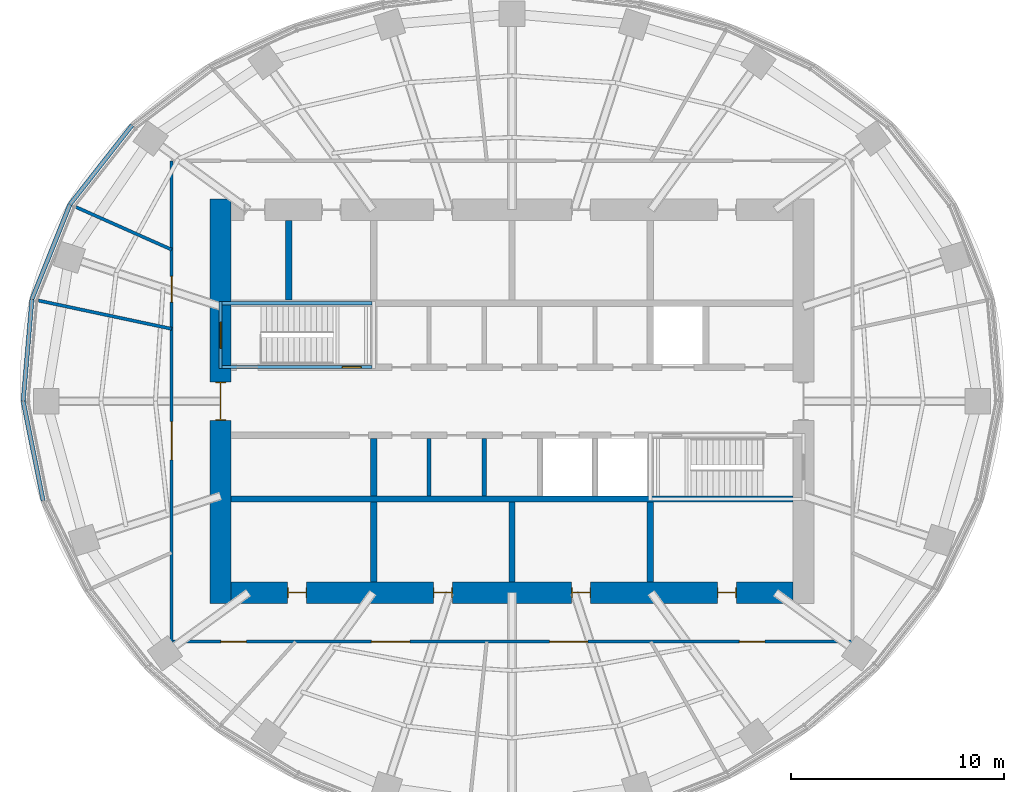
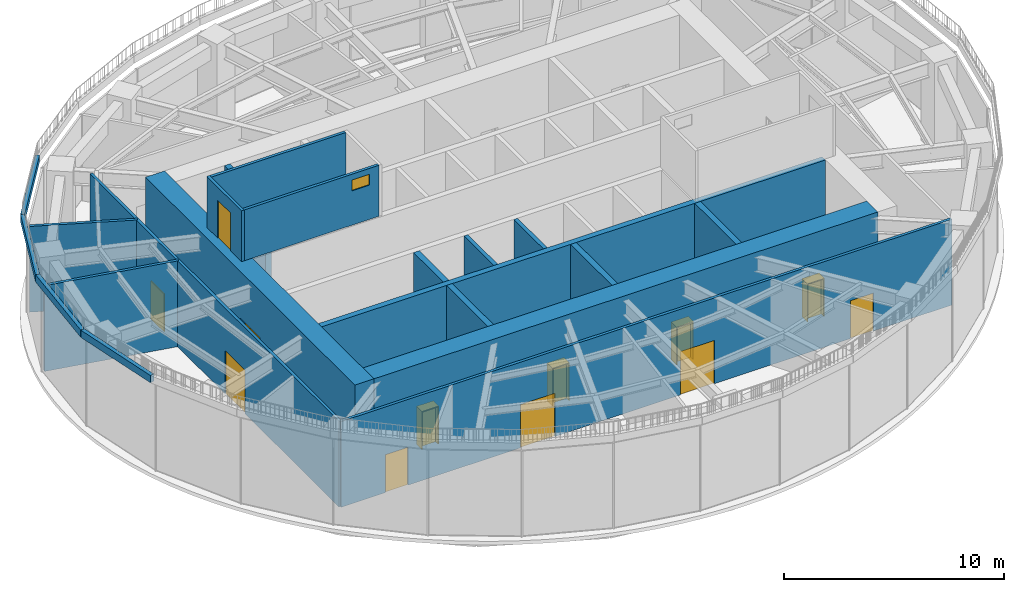
"""IFC4 building model written with IfcOpenShell, lengths in metres."""

from ifc_helpers import new_model, si_unit, direction, frame, frame_2d, origin, place, context, subcontext, project, spatial, rectangle, extrude, material, layer, layer_set, type_object, element, fill, save


model = new_model("IFC4")

# Units and contexts
model_context = context("Model", 3, precision=1e-05, world=origin(), true_north=direction((0.0, 1.0)))
body_context = subcontext(model_context, "Body", "Model", "MODEL_VIEW")
ifc_project = project(units=[si_unit("LENGTHUNIT", "METRE"), si_unit("AREAUNIT", "SQUARE_METRE"), si_unit("VOLUMEUNIT", "CUBIC_METRE"), si_unit("PLANEANGLEUNIT", "RADIAN"), si_unit("MASSUNIT", "GRAM", prefix="KILO")], contexts=[model_context])

# Site, building, storey
site_placement = place(None, origin())
site = spatial("IfcSite", under=ifc_project, at=site_placement, CompositionType="ELEMENT")
building_placement = place(site_placement, origin())
building = spatial("IfcBuilding", under=site, at=building_placement, Name="Marramba Exchange Tower", CompositionType="ELEMENT")
storey_1_placement = place(building_placement, frame((0.0, 0.0, 277.0)))
storey_1 = spatial("IfcBuildingStorey", under=building, at=storey_1_placement, Name="L67", CompositionType="ELEMENT", Elevation=277.0)

# Walls
ifc_material_1 = material(Name="Concrete N50", Category="concrete")
ifc_layer_1 = layer(ifc_material_1, 0.199951171875)
ifc_layer_set_1 = layer_set([ifc_layer_1], Name="Core shaft wall 200")
wall_type_1 = type_object("IfcWallType", Name="Core shaft wall 200", PredefinedType="SHEAR", material=ifc_layer_set_1)
for number, where, z_axis, x_axis, name in (
    (1, (-3.89990234375, -1.75, 0.0), (0.0, 0.0, 1.0), (0.0, -1.0, 0.0), "Core wall SHS1 L67"),
    (2, (-1.300048828125, -1.75, 0.0), (0.0, 0.0, 1.0), (0.0, -1.0, 0.0), "Core wall SHS2 L67"),
):
    element("IfcWall", number, at=place(storey_1_placement, frame(where, z_axis=z_axis, x_axis=x_axis)), inside=storey_1, type_object=wall_type_1, Name=name, PredefinedType="SHEAR", context=body_context, shape_type="SweptSolid", body=[
        extrude(rectangle(XDim=2.699951171875, YDim=0.199951171875, at=frame_2d((1.35009765625, 0.0))), origin(), (0.0, 0.0, 1.0), 5.0),
    ])

# Wall, openings, doors
ifc_layer_2 = layer(ifc_material_1, 1.0)
ifc_layer_set_2 = layer_set([ifc_layer_2], Name="Core wall 1000")
wall_type_2 = type_object("IfcWallType", Name="Core wall 1000", PredefinedType="SHEAR", material=ifc_layer_set_2)
wall_1_placement = place(storey_1_placement, frame((-13.199951171875, -9.0, 0.0), z_axis=(0.0, 0.0, 1.0), x_axis=(1.0, 0.0, 0.0)))
wall_1 = element("IfcWall", 3, at=wall_1_placement, inside=storey_1, type_object=wall_type_2, Name="Core wall S L67", PredefinedType="SHEAR", context=body_context, shape_type="SweptSolid", body=[
    extrude(rectangle(XDim=26.39990234375, YDim=1.0, at=frame_2d((13.199951171875, 0.0))), origin(), (0.0, 0.0, 1.0), 5.0),
])
opening_1_placement = place(wall_1_placement, frame((2.64990234375, 0.0, 0.0)))
opening_1 = element("IfcOpeningElement", 4, at=opening_1_placement, cuts=wall_1, Name="Opening D5", PredefinedType="OPENING", context=body_context, shape_type="SweptSolid", body=[
    extrude(rectangle(XDim=0.89990234375, YDim=2.10009765625, at=frame_2d((0.449951171875, 1.050048828125))), frame((0.0, 0.510009765625, 0.0), z_axis=(0.0, -1.0, 0.0), x_axis=(1.0, 0.0, 0.0)), (0.0, 0.0, 1.0), 1.02001953125),
])
opening_2_placement = place(wall_1_placement, frame((9.5, 0.0, 0.0)))
opening_2 = element("IfcOpeningElement", 5, at=opening_2_placement, cuts=wall_1, Name="Opening D5", PredefinedType="OPENING", context=body_context, shape_type="SweptSolid", body=[
    extrude(rectangle(XDim=0.89990234375, YDim=2.10009765625, at=frame_2d((0.449951171875, 1.050048828125))), frame((0.0, 0.510009765625, 0.0), z_axis=(0.0, -1.0, 0.0), x_axis=(1.0, 0.0, 0.0)), (0.0, 0.0, 1.0), 1.02001953125),
])
opening_3_placement = place(wall_1_placement, frame((16.0, 0.0, 0.0)))
opening_3 = element("IfcOpeningElement", 6, at=opening_3_placement, cuts=wall_1, Name="Opening D5", PredefinedType="OPENING", context=body_context, shape_type="SweptSolid", body=[
    extrude(rectangle(XDim=0.89990234375, YDim=2.10009765625, at=frame_2d((0.449951171875, 1.050048828125))), frame((0.0, 0.510009765625, 0.0), z_axis=(0.0, -1.0, 0.0), x_axis=(1.0, 0.0, 0.0)), (0.0, 0.0, 1.0), 1.02001953125),
])
opening_4_placement = place(wall_1_placement, frame((22.85009765625, 0.0, 0.0)))
opening_4 = element("IfcOpeningElement", 7, at=opening_4_placement, cuts=wall_1, Name="Opening D5", PredefinedType="OPENING", context=body_context, shape_type="SweptSolid", body=[
    extrude(rectangle(XDim=0.89990234375, YDim=2.10009765625, at=frame_2d((0.449951171875, 1.050048828125))), frame((0.0, 0.510009765625, 0.0), z_axis=(0.0, -1.0, 0.0), x_axis=(1.0, 0.0, 0.0)), (0.0, 0.0, 1.0), 1.02001953125),
])
ifc_material_2 = material(Name="Steel-framed door", Category="steel")
door_type_1 = type_object("IfcDoorType", Name="Service door 900x2100", OperationType="SINGLE_SWING_LEFT", PredefinedType="DOOR", material=ifc_material_2)
door_1_placement = place(opening_1_placement, origin())
door_1 = element("IfcDoor", 8, at=door_1_placement, inside=storey_1, type_object=door_type_1, Name="D5 ahu L67", OperationType="SINGLE_SWING_LEFT", OverallHeight=2.10009765625, OverallWidth=0.89990234375, PredefinedType="DOOR", context=body_context, shape_type="SweptSolid", body=[
    extrude(rectangle(XDim=0.81982421875, YDim=2.06005859375, at=frame_2d((0.449951171875, 1.030029296875))), frame((0.0, 0.02490234375, 0.0), z_axis=(0.0, -1.0, 0.0), x_axis=(1.0, 0.0, 0.0)), (0.0, 0.0, 1.0), 0.050048828125),
    extrude(rectangle(XDim=0.04, YDim=2.10009765625, at=frame_2d((0.02001953125, 1.050048828125))), frame((0.0, 0.25, 0.0), z_axis=(0.0, -1.0, 0.0), x_axis=(1.0, 0.0, 0.0)), (0.0, 0.0, 1.0), 0.5),
    extrude(rectangle(XDim=0.04, YDim=2.10009765625, at=frame_2d((0.8798828125, 1.050048828125))), frame((0.0, 0.25, 0.0), z_axis=(0.0, -1.0, 0.0), x_axis=(1.0, 0.0, 0.0)), (0.0, 0.0, 1.0), 0.5),
    extrude(rectangle(XDim=0.81982421875, YDim=0.04, at=frame_2d((0.449951171875, 2.080078125))), frame((0.0, 0.25, 0.0), z_axis=(0.0, -1.0, 0.0), x_axis=(1.0, 0.0, 0.0)), (0.0, 0.0, 1.0), 0.5),
])
fill(opening_1, door_1)
door_2_placement = place(opening_2_placement, origin())
door_2 = element("IfcDoor", 9, at=door_2_placement, inside=storey_1, type_object=door_type_1, Name="D5 store L67", OperationType="SINGLE_SWING_RIGHT", OverallHeight=2.10009765625, OverallWidth=0.89990234375, PredefinedType="DOOR", context=body_context, shape_type="SweptSolid", body=[
    extrude(rectangle(XDim=0.81982421875, YDim=2.06005859375, at=frame_2d((0.449951171875, 1.030029296875))), frame((0.0, 0.02490234375, 0.0), z_axis=(0.0, -1.0, 0.0), x_axis=(1.0, 0.0, 0.0)), (0.0, 0.0, 1.0), 0.050048828125),
    extrude(rectangle(XDim=0.04, YDim=2.10009765625, at=frame_2d((0.02001953125, 1.050048828125))), frame((0.0, 0.25, 0.0), z_axis=(0.0, -1.0, 0.0), x_axis=(1.0, 0.0, 0.0)), (0.0, 0.0, 1.0), 0.5),
    extrude(rectangle(XDim=0.04, YDim=2.10009765625, at=frame_2d((0.8798828125, 1.050048828125))), frame((0.0, 0.25, 0.0), z_axis=(0.0, -1.0, 0.0), x_axis=(1.0, 0.0, 0.0)), (0.0, 0.0, 1.0), 0.5),
    extrude(rectangle(XDim=0.81982421875, YDim=0.04, at=frame_2d((0.449951171875, 2.080078125))), frame((0.0, 0.25, 0.0), z_axis=(0.0, -1.0, 0.0), x_axis=(1.0, 0.0, 0.0)), (0.0, 0.0, 1.0), 0.5),
])
fill(opening_2, door_2)
door_3_placement = place(opening_3_placement, origin())
door_3 = element("IfcDoor", 10, at=door_3_placement, inside=storey_1, type_object=door_type_1, Name="D5 switch L67", OperationType="SINGLE_SWING_RIGHT", OverallHeight=2.10009765625, OverallWidth=0.89990234375, PredefinedType="DOOR", context=body_context, shape_type="SweptSolid", body=[
    extrude(rectangle(XDim=0.81982421875, YDim=2.06005859375, at=frame_2d((0.449951171875, 1.030029296875))), frame((0.0, 0.02490234375, 0.0), z_axis=(0.0, -1.0, 0.0), x_axis=(1.0, 0.0, 0.0)), (0.0, 0.0, 1.0), 0.050048828125),
    extrude(rectangle(XDim=0.04, YDim=2.10009765625, at=frame_2d((0.02001953125, 1.050048828125))), frame((0.0, 0.25, 0.0), z_axis=(0.0, -1.0, 0.0), x_axis=(1.0, 0.0, 0.0)), (0.0, 0.0, 1.0), 0.5),
    extrude(rectangle(XDim=0.04, YDim=2.10009765625, at=frame_2d((0.8798828125, 1.050048828125))), frame((0.0, 0.25, 0.0), z_axis=(0.0, -1.0, 0.0), x_axis=(1.0, 0.0, 0.0)), (0.0, 0.0, 1.0), 0.5),
    extrude(rectangle(XDim=0.81982421875, YDim=0.04, at=frame_2d((0.449951171875, 2.080078125))), frame((0.0, 0.25, 0.0), z_axis=(0.0, -1.0, 0.0), x_axis=(1.0, 0.0, 0.0)), (0.0, 0.0, 1.0), 0.5),
])
fill(opening_3, door_3)
door_4_placement = place(opening_4_placement, origin())
door_4 = element("IfcDoor", 11, at=door_4_placement, inside=storey_1, type_object=door_type_1, Name="D5 cstore L67", OperationType="SINGLE_SWING_RIGHT", OverallHeight=2.10009765625, OverallWidth=0.89990234375, PredefinedType="DOOR", context=body_context, shape_type="SweptSolid", body=[
    extrude(rectangle(XDim=0.81982421875, YDim=2.06005859375, at=frame_2d((0.449951171875, 1.030029296875))), frame((0.0, 0.02490234375, 0.0), z_axis=(0.0, -1.0, 0.0), x_axis=(1.0, 0.0, 0.0)), (0.0, 0.0, 1.0), 0.050048828125),
    extrude(rectangle(XDim=0.04, YDim=2.10009765625, at=frame_2d((0.02001953125, 1.050048828125))), frame((0.0, 0.25, 0.0), z_axis=(0.0, -1.0, 0.0), x_axis=(1.0, 0.0, 0.0)), (0.0, 0.0, 1.0), 0.5),
    extrude(rectangle(XDim=0.04, YDim=2.10009765625, at=frame_2d((0.8798828125, 1.050048828125))), frame((0.0, 0.25, 0.0), z_axis=(0.0, -1.0, 0.0), x_axis=(1.0, 0.0, 0.0)), (0.0, 0.0, 1.0), 0.5),
    extrude(rectangle(XDim=0.81982421875, YDim=0.04, at=frame_2d((0.449951171875, 2.080078125))), frame((0.0, 0.25, 0.0), z_axis=(0.0, -1.0, 0.0), x_axis=(1.0, 0.0, 0.0)), (0.0, 0.0, 1.0), 0.5),
])
fill(opening_4, door_4)

# Wall, opening, door
wall_2_placement = place(storey_1_placement, frame((-13.699951171875, 9.5, 0.0), z_axis=(0.0, 0.0, 1.0), x_axis=(0.0, -1.0, 0.0)))
wall_2 = element("IfcWall", 12, at=wall_2_placement, inside=storey_1, type_object=wall_type_2, Name="Core wall W L67", PredefinedType="SHEAR", context=body_context, shape_type="SweptSolid", body=[
    extrude(rectangle(XDim=19.0, YDim=1.0, at=frame_2d((9.5, 0.0))), origin(), (0.0, 0.0, 1.0), 5.0),
])
opening_5_placement = place(wall_2_placement, frame((8.60009765625, 0.0, 0.0)))
opening_5 = element("IfcOpeningElement", 13, at=opening_5_placement, cuts=wall_2, Name="Opening D1", PredefinedType="OPENING", context=body_context, shape_type="SweptSolid", body=[
    extrude(rectangle(XDim=1.800048828125, YDim=2.39990234375, at=frame_2d((0.89990234375, 1.199951171875))), frame((0.0, 0.510009765625, 0.0), z_axis=(0.0, -1.0, 0.0), x_axis=(1.0, 0.0, 0.0)), (0.0, 0.0, 1.0), 1.02001953125),
])
door_type_2 = type_object("IfcDoorType", Name="Lobby exit door 1800x2400", OperationType="DOUBLE_DOOR_SINGLE_SWING", PredefinedType="DOOR", material=ifc_material_2)
door_5_placement = place(opening_5_placement, origin())
door_5 = element("IfcDoor", 14, at=door_5_placement, inside=storey_1, type_object=door_type_2, Name="D1 lobby exit west L67", OperationType="DOUBLE_DOOR_SINGLE_SWING", OverallHeight=2.39990234375, OverallWidth=1.800048828125, PredefinedType="DOOR", context=body_context, shape_type="SweptSolid", body=[
    extrude(rectangle(XDim=1.719970703125, YDim=2.35986328125, at=frame_2d((0.89990234375, 1.179931640625))), frame((0.0, 0.02490234375, 0.0), z_axis=(0.0, -1.0, 0.0), x_axis=(1.0, 0.0, 0.0)), (0.0, 0.0, 1.0), 0.050048828125),
    extrude(rectangle(XDim=0.04, YDim=2.39990234375, at=frame_2d((0.02001953125, 1.199951171875))), frame((0.0, 0.25, 0.0), z_axis=(0.0, -1.0, 0.0), x_axis=(1.0, 0.0, 0.0)), (0.0, 0.0, 1.0), 0.5),
    extrude(rectangle(XDim=0.04, YDim=2.39990234375, at=frame_2d((1.780029296875, 1.199951171875))), frame((0.0, 0.25, 0.0), z_axis=(0.0, -1.0, 0.0), x_axis=(1.0, 0.0, 0.0)), (0.0, 0.0, 1.0), 0.5),
    extrude(rectangle(XDim=1.719970703125, YDim=0.04, at=frame_2d((0.89990234375, 2.3798828125))), frame((0.0, 0.25, 0.0), z_axis=(0.0, -1.0, 0.0), x_axis=(1.0, 0.0, 0.0)), (0.0, 0.0, 1.0), 0.5),
])
fill(opening_5, door_5)

# Walls
ifc_layer_3 = layer(ifc_material_1, 0.300048828125)
ifc_layer_set_3 = layer_set([ifc_layer_3], Name="Core wall 300")
wall_type_3 = type_object("IfcWallType", Name="Core wall 300", PredefinedType="SHEAR", material=ifc_layer_set_3)
wall_3_placement = place(storey_1_placement, frame((-13.199951171875, -4.60009765625, 0.0), z_axis=(0.0, 0.0, 1.0), x_axis=(1.0, 0.0, 0.0)))
element("IfcWall", 15, at=wall_3_placement, inside=storey_1, type_object=wall_type_3, Name="Core wall BS L67", PredefinedType="SHEAR", context=body_context, shape_type="SweptSolid", body=[
    extrude(rectangle(XDim=26.39990234375, YDim=0.300048828125, at=frame_2d((13.199951171875, 0.0))), origin(), (0.0, 0.0, 1.0), 5.0),
])
wall_4_placement = place(storey_1_placement, frame((-6.5, -1.75, 0.0), z_axis=(0.0, 0.0, 1.0), x_axis=(0.0, -1.0, 0.0)))
element("IfcWall", 16, at=wall_4_placement, inside=storey_1, type_object=wall_type_3, Name="Core wall X0Sa L67", PredefinedType="SHEAR", context=body_context, shape_type="SweptSolid", body=[
    extrude(rectangle(XDim=2.699951171875, YDim=0.300048828125, at=frame_2d((1.35009765625, 0.0))), origin(), (0.0, 0.0, 1.0), 5.0),
])
for number, where, z_axis, x_axis, name in (
    (17, (-6.5, -4.75, 0.0), (0.0, 0.0, 1.0), (0.0, -1.0, 0.0), "Core wall X0Sb L67"),
    (18, (6.5, -4.75, 0.0), (0.0, 0.0, 1.0), (0.0, -1.0, 0.0), "Core wall X1Sb L67"),
    (19, (0.0, -4.75, 0.0), (0.0, 0.0, 1.0), (0.0, -1.0, 0.0), "Core wall MS L67"),
    (20, (-10.5, 4.75, 0.0), (0.0, 0.0, 1.0), (0.0, 1.0, 0.0), "Core wall WD L67"),
):
    element("IfcWall", number, at=place(storey_1_placement, frame(where, z_axis=z_axis, x_axis=x_axis)), inside=storey_1, type_object=wall_type_3, Name=name, PredefinedType="SHEAR", context=body_context, shape_type="SweptSolid", body=[
        extrude(rectangle(XDim=3.75, YDim=0.300048828125, at=frame_2d((1.875, 0.0))), origin(), (0.0, 0.0, 1.0), 5.0),
    ])
ifc_material_3 = material(Name="Concrete N40", Category="concrete")
ifc_layer_4 = layer(ifc_material_3, 0.199951171875)
ifc_layer_set_4 = layer_set([ifc_layer_4], Name="Roof upstand 200x400")
wall_type_4 = type_object("IfcWallType", Name="Roof upstand 200x400", PredefinedType="PARAPET", material=ifc_layer_set_4)
wall_5_placement = place(storey_1_placement, frame((-17.859375, 12.9755859375, 5.0), z_axis=(0.0, 0.0, 1.0), x_axis=(-0.617103610012, -0.78688190633, 0.0)))
element("IfcWall", 21, at=wall_5_placement, inside=storey_1, type_object=wall_type_4, Name="Roof upstand Roof crown F13", PredefinedType="PARAPET", context=body_context, shape_type="SweptSolid", body=[
    extrude(rectangle(XDim=4.732421875, YDim=0.199951171875, at=frame_2d((2.3662109375, 0.0))), origin(), (0.0, 0.0, 1.0), 0.39990234375),
])
wall_6_placement = place(storey_1_placement, frame((-20.77978515625, 9.251708984375, 5.0), z_axis=(0.0, 0.0, 1.0), x_axis=(-0.372363873994, -0.928086819939, 0.0)))
element("IfcWall", 22, at=wall_6_placement, inside=storey_1, type_object=wall_type_4, Name="Roof upstand Roof crown F14", PredefinedType="PARAPET", context=body_context, shape_type="SweptSolid", body=[
    extrude(rectangle(XDim=4.800048828125, YDim=0.199951171875, at=frame_2d((2.39990234375, 0.0))), origin(), (0.0, 0.0, 1.0), 0.39990234375),
])
wall_7_placement = place(storey_1_placement, frame((-22.567138671875, 4.796875, 5.0), z_axis=(0.0, 0.0, 1.0), x_axis=(-0.085747752545, -0.996316878776, 0.0)))
element("IfcWall", 23, at=wall_7_placement, inside=storey_1, type_object=wall_type_4, Name="Roof upstand Roof crown F15", PredefinedType="PARAPET", context=body_context, shape_type="SweptSolid", body=[
    extrude(rectangle(XDim=4.814697265625, YDim=0.199951171875, at=frame_2d((2.4072265625, 0.0))), origin(), (0.0, 0.0, 1.0), 0.39990234375),
])
wall_8_placement = place(storey_1_placement, frame((-22.97998046875, 0.0, 5.0), z_axis=(0.0, 0.0, 1.0), x_axis=(0.196715481336, -0.980460615937, 0.0)))
element("IfcWall", 24, at=wall_8_placement, inside=storey_1, type_object=wall_type_4, Name="Roof upstand Roof crown F16", PredefinedType="PARAPET", context=body_context, shape_type="SweptSolid", body=[
    extrude(rectangle(XDim=4.778076171875, YDim=0.199951171875, at=frame_2d((2.38916015625, 0.0))), origin(), (0.0, 0.0, 1.0), 0.39990234375),
])

# Wall, opening, door
ifc_material_4 = material(Name="Precast concrete N40 panel", Category="concrete")
ifc_layer_5 = layer(ifc_material_4, 0.14990234375)
ifc_layer_set_5 = layer_set([ifc_layer_5], Name="Stair head-house wall 150")
wall_type_5 = type_object("IfcWallType", Name="Stair head-house wall 150", PredefinedType="SOLIDWALL", material=ifc_layer_set_5)
wall_9_placement = place(storey_1_placement, frame((-13.699951171875, 1.52490234375, 5.0), z_axis=(0.0, 0.0, 1.0), x_axis=(0.0, 1.0, 0.0)))
wall_9 = element("IfcWall", 25, at=wall_9_placement, inside=storey_1, type_object=wall_type_5, Name="Stair head-house wall ST1 W", PredefinedType="SOLIDWALL", context=body_context, shape_type="SweptSolid", body=[
    extrude(rectangle(XDim=3.150146484375, YDim=0.14990234375, at=frame_2d((1.5751953125, 0.0))), origin(), (0.0, 0.0, 1.0), 2.820068359375),
])
opening_6_placement = place(wall_9_placement, frame((0.97509765625, 0.0, 0.0)))
opening_6 = element("IfcOpeningElement", 26, at=opening_6_placement, cuts=wall_9, Name="Opening D12", PredefinedType="OPENING", context=body_context, shape_type="SweptSolid", body=[
    extrude(rectangle(XDim=1.199951171875, YDim=2.10009765625, at=frame_2d((0.60009765625, 1.050048828125))), frame((0.0, 0.0849609375, 0.0), z_axis=(0.0, -1.0, 0.0), x_axis=(1.0, 0.0, 0.0)), (0.0, 0.0, 1.0), 0.169921875),
])
door_type_3 = type_object("IfcDoorType", Name="Roof access door 1200x2100", OperationType="SINGLE_SWING_LEFT", PredefinedType="DOOR", material=ifc_material_2)
door_6_placement = place(opening_6_placement, origin())
door_6 = element("IfcDoor", 27, at=door_6_placement, inside=storey_1, type_object=door_type_3, Name="D12 roof ST1", OperationType="SINGLE_SWING_RIGHT", OverallHeight=2.10009765625, OverallWidth=1.199951171875, PredefinedType="DOOR", context=body_context, shape_type="SweptSolid", body=[
    extrude(rectangle(XDim=1.199951171875, YDim=2.10009765625, at=frame_2d((0.60009765625, 1.050048828125))), frame((0.0, 0.02490234375, 0.0), z_axis=(0.0, -1.0, 0.0), x_axis=(1.0, 0.0, 0.0)), (0.0, 0.0, 1.0), 0.050048828125),
])
fill(opening_6, door_6)

# Wall, opening
wall_10_placement = place(storey_1_placement, frame((-13.625, 1.60009765625, 5.0), z_axis=(0.0, 0.0, 1.0), x_axis=(1.0, 0.0, 0.0)))
wall_10 = element("IfcWall", 28, at=wall_10_placement, inside=storey_1, type_object=wall_type_5, Name="Stair head-house wall ST1 S", PredefinedType="SOLIDWALL", context=body_context, shape_type="SweptSolid", body=[
    extrude(rectangle(XDim=7.050048828125, YDim=0.14990234375, at=frame_2d((3.52490234375, 0.0))), origin(), (0.0, 0.0, 1.0), 2.820068359375),
])
opening_7_placement = place(wall_10_placement, frame((5.64990234375, 0.0, 1.89990234375)))
opening_7 = element("IfcOpeningElement", 29, at=opening_7_placement, cuts=wall_10, Name="Opening W6", PredefinedType="OPENING", context=body_context, shape_type="SweptSolid", body=[
    extrude(rectangle(XDim=0.89990234375, YDim=0.60009765625, at=frame_2d((0.449951171875, 0.300048828125))), frame((0.0, 0.0849609375, 0.0), z_axis=(0.0, -1.0, 0.0), x_axis=(1.0, 0.0, 0.0)), (0.0, 0.0, 1.0), 0.169921875),
])

# Storey
storey_2_placement = place(building_placement, frame((0.0, 0.0, 282.0)))
storey_2 = spatial("IfcBuildingStorey", under=building, at=storey_2_placement, Name="Roof crown", CompositionType="ELEMENT", Elevation=282.0)

# Window
ifc_material_5 = material(Name="Aluminium relief louvre, bronze anodised", Category="aluminium")
window_type = type_object("IfcWindowType", Name="Stair pressure relief louvre 900x600", PartitioningType="SINGLE_PANEL", PredefinedType="WINDOW", material=ifc_material_5)
window_placement = place(opening_7_placement, origin())
window = element("IfcWindow", 30, at=window_placement, inside=storey_2, type_object=window_type, Name="W6 roof ST1", OverallHeight=0.60009765625, OverallWidth=0.89990234375, PartitioningType="SINGLE_PANEL", PredefinedType="WINDOW", context=body_context, shape_type="SweptSolid", body=[
    extrude(rectangle(XDim=0.89990234375, YDim=0.60009765625, at=frame_2d((0.449951171875, 0.300048828125))), frame((0.0, 0.030029296875, 0.0), z_axis=(0.0, -1.0, 0.0), x_axis=(1.0, 0.0, 0.0)), (0.0, 0.0, 1.0), 0.06005859375),
])

fill(opening_7, window)

# Wall
wall_11_placement = place(storey_1_placement, frame((-13.625, 4.60009765625, 5.0), z_axis=(0.0, 0.0, 1.0), x_axis=(1.0, 0.0, 0.0)))
element("IfcWall", 31, at=wall_11_placement, inside=storey_1, type_object=wall_type_5, Name="Stair head-house wall ST1 N", PredefinedType="SOLIDWALL", context=body_context, shape_type="SweptSolid", body=[
    extrude(rectangle(XDim=7.050048828125, YDim=0.14990234375, at=frame_2d((3.52490234375, 0.0))), origin(), (0.0, 0.0, 1.0), 2.820068359375),
])

# Wall, openings, doors
ifc_material_6 = material(Name="Fire-rated plasterboard on steel studs, acoustic insulation", Category="steel")
ifc_layer_6 = layer(ifc_material_6, 0.14990234375)
ifc_layer_set_6 = layer_set([ifc_layer_6], Name="Tenancy wall 150")
wall_type_6 = type_object("IfcWallType", Name="Tenancy wall 150", PredefinedType="PARTITIONING", material=ifc_layer_set_6)
wall_12_placement = place(storey_1_placement, frame((-16.0, -11.300048828125, 0.0), z_axis=(0.0, 0.0, 1.0), x_axis=(1.0, 0.0, 0.0)))
wall_12 = element("IfcWall", 32, at=wall_12_placement, inside=storey_1, type_object=wall_type_6, Name="Tenancy wall L67 04", PredefinedType="PARTITIONING", context=body_context, shape_type="SweptSolid", body=[
    extrude(rectangle(XDim=32.0, YDim=0.14990234375, at=frame_2d((16.0, 0.0))), origin(), (0.0, 0.0, 1.0), 4.75),
])
opening_8_placement = place(wall_12_placement, frame((2.31298828125, 0.0, 0.0)))
opening_8 = element("IfcOpeningElement", 33, at=opening_8_placement, cuts=wall_12, Name="Opening D16", PredefinedType="OPENING", context=body_context, shape_type="SweptSolid", body=[
    extrude(rectangle(XDim=1.199951171875, YDim=2.10009765625, at=frame_2d((0.60009765625, 1.050048828125))), frame((0.0, 0.0849609375, 0.0), z_axis=(0.0, -1.0, 0.0), x_axis=(1.0, 0.0, 0.0)), (0.0, 0.0, 1.0), 0.169921875),
])
opening_9_placement = place(wall_12_placement, frame((9.39404296875, 0.0, 0.0)))
opening_9 = element("IfcOpeningElement", 34, at=opening_9_placement, cuts=wall_12, Name="Opening D18", PredefinedType="OPENING", context=body_context, shape_type="SweptSolid", body=[
    extrude(rectangle(XDim=1.800048828125, YDim=2.39990234375, at=frame_2d((0.89990234375, 1.199951171875))), frame((0.0, 0.0849609375, 0.0), z_axis=(0.0, -1.0, 0.0), x_axis=(1.0, 0.0, 0.0)), (0.0, 0.0, 1.0), 0.169921875),
])
opening_10_placement = place(wall_12_placement, frame((17.76806640625, 0.0, 0.0)))
opening_10 = element("IfcOpeningElement", 35, at=opening_10_placement, cuts=wall_12, Name="Opening D18", PredefinedType="OPENING", context=body_context, shape_type="SweptSolid", body=[
    extrude(rectangle(XDim=1.800048828125, YDim=2.39990234375, at=frame_2d((0.89990234375, 1.199951171875))), frame((0.0, 0.0849609375, 0.0), z_axis=(0.0, -1.0, 0.0), x_axis=(1.0, 0.0, 0.0)), (0.0, 0.0, 1.0), 0.169921875),
])
opening_11_placement = place(wall_12_placement, frame((26.68701171875, 0.0, 0.0)))
opening_11 = element("IfcOpeningElement", 36, at=opening_11_placement, cuts=wall_12, Name="Opening D16", PredefinedType="OPENING", context=body_context, shape_type="SweptSolid", body=[
    extrude(rectangle(XDim=1.199951171875, YDim=2.10009765625, at=frame_2d((0.60009765625, 1.050048828125))), frame((0.0, 0.0849609375, 0.0), z_axis=(0.0, -1.0, 0.0), x_axis=(1.0, 0.0, 0.0)), (0.0, 0.0, 1.0), 0.169921875),
])
door_type_4 = type_object("IfcDoorType", Name="Door pair 1800x2400", OperationType="DOUBLE_DOOR_SINGLE_SWING", PredefinedType="DOOR", material=ifc_material_2)
door_7_placement = place(opening_9_placement, origin())
door_7 = element("IfcDoor", 37, at=door_7_placement, inside=storey_1, type_object=door_type_4, Name="D18 Water Transfer Tank Room L67", OperationType="DOUBLE_DOOR_SINGLE_SWING", OverallHeight=2.39990234375, OverallWidth=1.800048828125, PredefinedType="DOOR", context=body_context, shape_type="SweptSolid", body=[
    extrude(rectangle(XDim=1.800048828125, YDim=2.39990234375, at=frame_2d((0.89990234375, 1.199951171875))), frame((0.0, 0.02490234375, 0.0), z_axis=(0.0, -1.0, 0.0), x_axis=(1.0, 0.0, 0.0)), (0.0, 0.0, 1.0), 0.050048828125),
])
fill(opening_9, door_7)
door_8_placement = place(opening_10_placement, origin())
door_8 = element("IfcDoor", 38, at=door_8_placement, inside=storey_1, type_object=door_type_4, Name="D18 Chiller Plant Room 2 L67", OperationType="DOUBLE_DOOR_SINGLE_SWING", OverallHeight=2.39990234375, OverallWidth=1.800048828125, PredefinedType="DOOR", context=body_context, shape_type="SweptSolid", body=[
    extrude(rectangle(XDim=1.800048828125, YDim=2.39990234375, at=frame_2d((0.89990234375, 1.199951171875))), frame((0.0, 0.02490234375, 0.0), z_axis=(0.0, -1.0, 0.0), x_axis=(1.0, 0.0, 0.0)), (0.0, 0.0, 1.0), 0.050048828125),
])
fill(opening_10, door_8)
door_type_5 = type_object("IfcDoorType", Name="Equipment room door 1200x2100", OperationType="SINGLE_SWING_LEFT", PredefinedType="DOOR", material=ifc_material_2)
door_9_placement = place(opening_8_placement, frame((1.199951171875, 0.0, 0.0), z_axis=(0.0, 0.0, 1.0), x_axis=(-1.0, 0.0, 0.0)))
door_9 = element("IfcDoor", 39, at=door_9_placement, inside=storey_1, type_object=door_type_5, Name="D16 Sprinkler Valve Room L67", OperationType="SINGLE_SWING_LEFT", OverallHeight=2.10009765625, OverallWidth=1.199951171875, PredefinedType="DOOR", context=body_context, shape_type="SweptSolid", body=[
    extrude(rectangle(XDim=1.199951171875, YDim=2.10009765625, at=frame_2d((0.599853515625, 1.050048828125))), frame((0.0, 0.025146484375, 0.0), z_axis=(0.0, -1.0, 0.0), x_axis=(1.0, 0.0, 0.0)), (0.0, 0.0, 1.0), 0.050048828125),
])
fill(opening_8, door_9)
door_10_placement = place(opening_11_placement, frame((1.199951171875, 0.0, 0.0), z_axis=(0.0, 0.0, 1.0), x_axis=(-1.0, 0.0, 0.0)))
door_10 = element("IfcDoor", 40, at=door_10_placement, inside=storey_1, type_object=door_type_5, Name="D16 Hydraulic Booster Pump Room L67", OperationType="SINGLE_SWING_RIGHT", OverallHeight=2.10009765625, OverallWidth=1.199951171875, PredefinedType="DOOR", context=body_context, shape_type="SweptSolid", body=[
    extrude(rectangle(XDim=1.199951171875, YDim=2.10009765625, at=frame_2d((0.599853515625, 1.050048828125))), frame((0.0, 0.025146484375, 0.0), z_axis=(0.0, -1.0, 0.0), x_axis=(1.0, 0.0, 0.0)), (0.0, 0.0, 1.0), 0.050048828125),
])
fill(opening_11, door_10)

# Walls
wall_13_placement = place(storey_1_placement, frame((-16.0, 7.123779296875, 0.0), z_axis=(0.0, 0.0, 1.0), x_axis=(-0.913549547766, 0.406727456384, 0.0)))
element("IfcWall", 41, at=wall_13_placement, inside=storey_1, type_object=wall_type_6, Name="Tenancy wall L67 13", PredefinedType="PARTITIONING", context=body_context, shape_type="SweptSolid", body=[
    extrude(rectangle(XDim=4.922119140625, YDim=0.14990234375, at=frame_2d((2.4609375, 0.0))), origin(), (0.0, 0.0, 1.0), 4.75),
])
wall_14_placement = place(storey_1_placement, frame((-16.0, 3.40087890625, 0.0), z_axis=(0.0, 0.0, 1.0), x_axis=(-0.97814421791, 0.207927605117, 0.0)))
element("IfcWall", 42, at=wall_14_placement, inside=storey_1, type_object=wall_type_6, Name="Tenancy wall L67 14", PredefinedType="PARTITIONING", context=body_context, shape_type="SweptSolid", body=[
    extrude(rectangle(XDim=6.40380859375, YDim=0.14990234375, at=frame_2d((3.201904296875, 0.0))), origin(), (0.0, 0.0, 1.0), 4.75),
])

# Wall, openings, doors
wall_15_placement = place(storey_1_placement, frame((-16.0, 11.300048828125, 0.0), z_axis=(0.0, 0.0, 1.0), x_axis=(0.0, -1.0, 0.0)))
wall_15 = element("IfcWall", 43, at=wall_15_placement, inside=storey_1, type_object=wall_type_6, Name="Tenancy wall L67 15", PredefinedType="PARTITIONING", context=body_context, shape_type="SweptSolid", body=[
    extrude(rectangle(XDim=22.60009765625, YDim=0.14990234375, at=frame_2d((11.300048828125, 0.0))), origin(), (0.0, 0.0, 1.0), 4.75),
])
opening_12_placement = place(wall_15_placement, frame((5.43798828125, 0.0, 0.0)))
opening_12 = element("IfcOpeningElement", 44, at=opening_12_placement, cuts=wall_15, Name="Opening D16", PredefinedType="OPENING", context=body_context, shape_type="SweptSolid", body=[
    extrude(rectangle(XDim=1.199951171875, YDim=2.10009765625, at=frame_2d((0.60009765625, 1.050048828125))), frame((0.0, 0.0849609375, 0.0), z_axis=(0.0, -1.0, 0.0), x_axis=(1.0, 0.0, 0.0)), (0.0, 0.0, 1.0), 0.169921875),
])
opening_13_placement = place(wall_15_placement, frame((12.260986328125, 0.0, 0.0)))
opening_13 = element("IfcOpeningElement", 45, at=opening_13_placement, cuts=wall_15, Name="Opening D18", PredefinedType="OPENING", context=body_context, shape_type="SweptSolid", body=[
    extrude(rectangle(XDim=1.800048828125, YDim=2.39990234375, at=frame_2d((0.89990234375, 1.199951171875))), frame((0.0, 0.0849609375, 0.0), z_axis=(0.0, -1.0, 0.0), x_axis=(1.0, 0.0, 0.0)), (0.0, 0.0, 1.0), 0.169921875),
])
door_11_placement = place(opening_13_placement, origin())
door_11 = element("IfcDoor", 46, at=door_11_placement, inside=storey_1, type_object=door_type_4, Name="D18 Electrical Switch Room L67", OperationType="DOUBLE_DOOR_SINGLE_SWING", OverallHeight=2.39990234375, OverallWidth=1.800048828125, PredefinedType="DOOR", context=body_context, shape_type="SweptSolid", body=[
    extrude(rectangle(XDim=1.800048828125, YDim=2.39990234375, at=frame_2d((0.89990234375, 1.199951171875))), frame((0.0, 0.02490234375, 0.0), z_axis=(0.0, -1.0, 0.0), x_axis=(1.0, 0.0, 0.0)), (0.0, 0.0, 1.0), 0.050048828125),
])
fill(opening_13, door_11)
door_12_placement = place(opening_12_placement, frame((1.199951171875, 0.0, 0.0), z_axis=(0.0, 0.0, 1.0), x_axis=(-1.0, 0.0, 0.0)))
door_12 = element("IfcDoor", 47, at=door_12_placement, inside=storey_1, type_object=door_type_5, Name="D16 BMU Store L67", OperationType="SINGLE_SWING_LEFT", OverallHeight=2.10009765625, OverallWidth=1.199951171875, PredefinedType="DOOR", context=body_context, shape_type="SweptSolid", body=[
    extrude(rectangle(XDim=1.199951171875, YDim=2.10009765625, at=frame_2d((0.599853515625, 1.050048828125))), frame((0.0, 0.025146484375, 0.0), z_axis=(0.0, -1.0, 0.0), x_axis=(1.0, 0.0, 0.0)), (0.0, 0.0, 1.0), 0.050048828125),
])
fill(opening_12, door_12)

save(model, "model.ifc")
